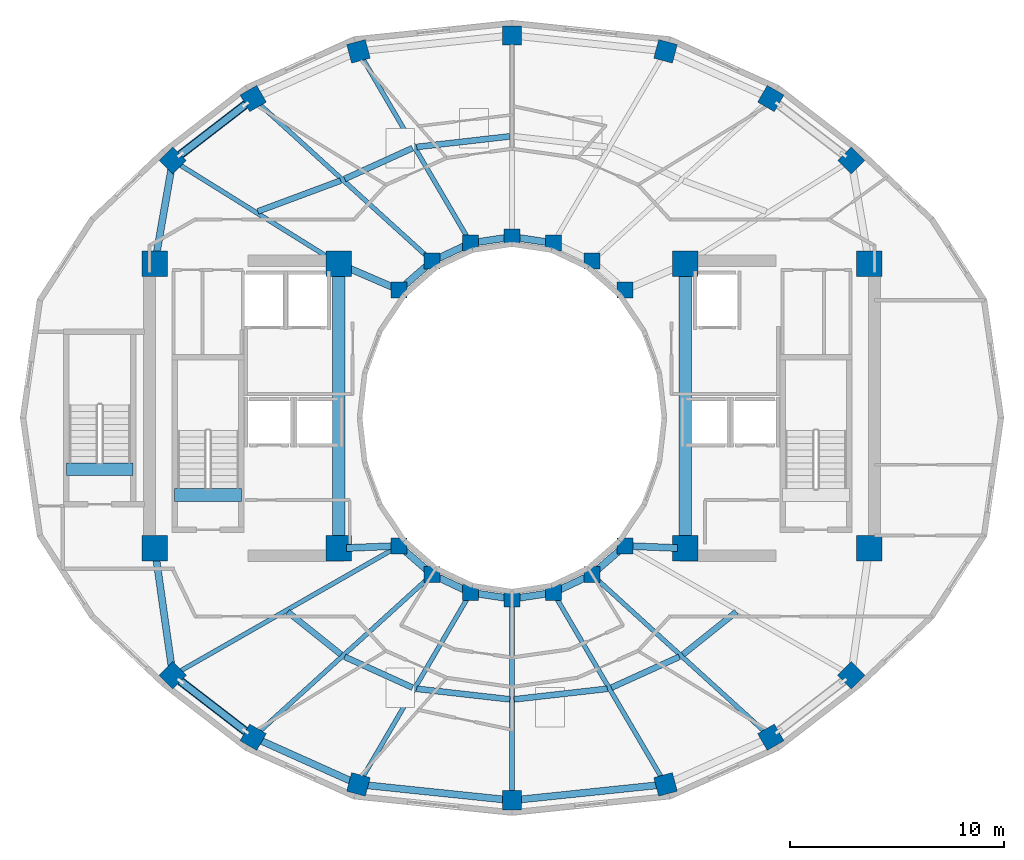
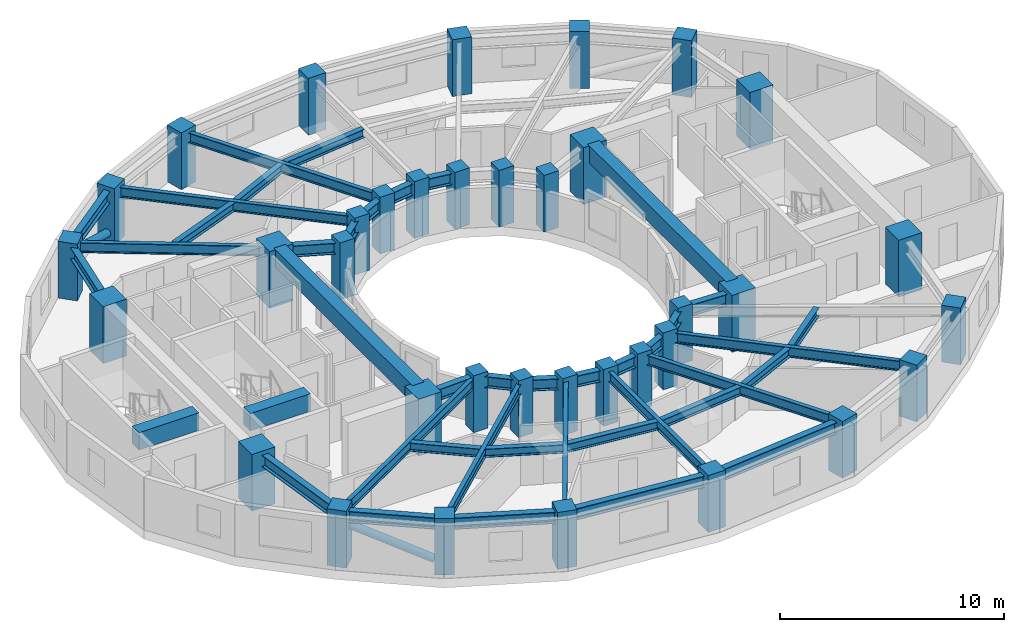
# One storey, part 1 of 9: 42 beams, 36 columns, 2 members.
"""IFC4 building model written with IfcOpenShell, lengths in metres."""

from ifc_helpers import new_model, si_unit, direction, frame, origin, origin_2d, place, context, subcontext, project, spatial, rectangle, hollow_circle, i_section, extrude, material, material_profile, profile_set, type_object, element, save


model = new_model("IFC4")

# Units and contexts
model_context = context("Model", 3, precision=1e-05, world=origin(), true_north=direction((0.0, 1.0)))
body_context = subcontext(model_context, "Body", "Model", "MODEL_VIEW")
ifc_project = project(units=[si_unit("LENGTHUNIT", "METRE"), si_unit("AREAUNIT", "SQUARE_METRE"), si_unit("VOLUMEUNIT", "CUBIC_METRE"), si_unit("PLANEANGLEUNIT", "RADIAN"), si_unit("MASSUNIT", "GRAM", prefix="KILO")], contexts=[model_context])

# Site, building, storey
site_placement = place(None, origin())
site = spatial("IfcSite", under=ifc_project, at=site_placement, CompositionType="ELEMENT")
building_placement = place(site_placement, origin())
building = spatial("IfcBuilding", under=site, at=building_placement, Name="Solvane Sanctuary Tower", CompositionType="ELEMENT")
storey_placement = place(building_placement, frame((0.0, 0.0, 180.800048828125)))
storey = spatial("IfcBuildingStorey", under=building, at=storey_placement, Name="L55", CompositionType="ELEMENT", Elevation=180.800048828125)

# Columns
ifc_material_1 = material(Name="Concrete C50/60", Category="concrete")
ifc_material_profile_1 = material_profile(ifc_material_1, rectangle(XDim=0.75, YDim=0.75, at=origin_2d()), Name="RC750X750")
ifc_profile_set_1 = profile_set([ifc_material_profile_1], Name="Concrete C50/60")
column_type_1 = type_object("IfcColumnType", Name="Column C-RING-Z3 RC750X750", PredefinedType="COLUMN", material=ifc_profile_set_1)
for number, where, z_axis, x_axis, name in (
    (1, (37.27490234375, 28.982177734375, 0.0), (0.0, 0.0, 1.0), (1.0, 0.0, 0.0), "L55 Inner Light-Well Ring Column IC01"),
    (2, (35.72998046875, 30.32666015625, 0.0), (0.0, 0.0, 1.0), (1.0, 0.0, 0.0), "L55 Inner Light-Well Ring Column IC02"),
    (3, (33.930908203125, 31.171630859375, 0.0), (0.0, 0.0, 1.0), (1.0, 0.0, 0.0), "L55 Inner Light-Well Ring Column IC03"),
    (4, (32.0, 31.4599609375, 0.0), (0.0, 0.0, 1.0), (1.0, 0.0, 0.0), "L55 Inner Light-Well Ring Column IC04"),
    (5, (30.069091796875, 31.171630859375, 0.0), (0.0, 0.0, 1.0), (1.0, 0.0, 0.0), "L55 Inner Light-Well Ring Column IC05"),
    (6, (28.27001953125, 30.32666015625, 0.0), (0.0, 0.0, 1.0), (1.0, 0.0, 0.0), "L55 Inner Light-Well Ring Column IC06"),
    (7, (26.72509765625, 28.982177734375, 0.0), (0.0, 0.0, 1.0), (1.0, 0.0, 0.0), "L55 Inner Light-Well Ring Column IC07"),
    (8, (26.72509765625, 17.017822265625, 0.0), (0.0, 0.0, 1.0), (1.0, 0.0, 0.0), "L55 Inner Light-Well Ring Column IC08"),
    (9, (28.27001953125, 15.67333984375, 0.0), (0.0, 0.0, 1.0), (1.0, 0.0, 0.0), "L55 Inner Light-Well Ring Column IC09"),
    (10, (30.069091796875, 14.828369140625, 0.0), (0.0, 0.0, 1.0), (1.0, 0.0, 0.0), "L55 Inner Light-Well Ring Column IC10"),
    (11, (32.0, 14.5400390625, 0.0), (0.0, 0.0, 1.0), (1.0, 0.0, 0.0), "L55 Inner Light-Well Ring Column IC11"),
    (12, (33.930908203125, 14.828369140625, 0.0), (0.0, 0.0, 1.0), (1.0, 0.0, 0.0), "L55 Inner Light-Well Ring Column IC12"),
    (13, (35.72998046875, 15.67333984375, 0.0), (0.0, 0.0, 1.0), (1.0, 0.0, 0.0), "L55 Inner Light-Well Ring Column IC13"),
    (14, (37.27490234375, 17.017822265625, 0.0), (0.0, 0.0, 1.0), (1.0, 0.0, 0.0), "L55 Inner Light-Well Ring Column IC14"),
):
    element("IfcColumn", number, at=place(storey_placement, frame(where, z_axis=z_axis, x_axis=x_axis)), inside=storey, type_object=column_type_1, Name=name, PredefinedType="COLUMN", context=body_context, shape_type="SweptSolid", body=[
        extrude(rectangle(XDim=0.75, YDim=0.75, at=origin_2d()), origin(), (0.0, 0.0, 1.0), 3.099853515625),
    ])
ifc_material_2 = material(Name="Concrete C70/85", Category="concrete")
ifc_material_profile_2 = material_profile(ifc_material_2, rectangle(XDim=1.199951171875, YDim=1.199951171875, at=origin_2d()), Name="RC1200X1200")
ifc_profile_set_2 = profile_set([ifc_material_profile_2], Name="Concrete C70/85")
column_type_2 = type_object("IfcColumnType", Name="Column C-TUBE-Z1 RC1200X1200", PredefinedType="COLUMN", material=ifc_profile_set_2)
for number, where, z_axis, x_axis, name in (
    (15, (15.300048828125, 16.89990234375, 0.0), (0.0, 0.0, 1.0), (1.0, 0.0, 0.0), "L55 Core Corner Column CW1"),
    (16, (23.89990234375, 16.89990234375, 0.0), (0.0, 0.0, 1.0), (1.0, 0.0, 0.0), "L55 Core Corner Column CW2"),
    (17, (23.89990234375, 30.199951171875, 0.0), (0.0, 0.0, 1.0), (1.0, 0.0, 0.0), "L55 Core Corner Column CW3"),
    (18, (15.300048828125, 30.199951171875, 0.0), (0.0, 0.0, 1.0), (1.0, 0.0, 0.0), "L55 Core Corner Column CW4"),
    (19, (40.10009765625, 16.89990234375, 0.0), (0.0, 0.0, 1.0), (1.0, 0.0, 0.0), "L55 Core Corner Column CE1"),
    (20, (48.699951171875, 16.89990234375, 0.0), (0.0, 0.0, 1.0), (1.0, 0.0, 0.0), "L55 Core Corner Column CE2"),
    (21, (48.699951171875, 30.199951171875, 0.0), (0.0, 0.0, 1.0), (1.0, 0.0, 0.0), "L55 Core Corner Column CE3"),
    (22, (40.10009765625, 30.199951171875, 0.0), (0.0, 0.0, 1.0), (1.0, 0.0, 0.0), "L55 Core Corner Column CE4"),
):
    element("IfcColumn", number, at=place(storey_placement, frame(where, z_axis=z_axis, x_axis=x_axis)), inside=storey, type_object=column_type_2, Name=name, PredefinedType="COLUMN", context=body_context, shape_type="SweptSolid", body=[
        extrude(rectangle(XDim=1.199951171875, YDim=1.199951171875, at=origin_2d()), origin(), (0.0, 0.0, 1.0), 3.099853515625),
    ])
ifc_material_3 = material(Name="Concrete C60/75", Category="concrete")
ifc_material_profile_3 = material_profile(ifc_material_3, rectangle(XDim=0.89990234375, YDim=0.89990234375, at=origin_2d()), Name="RC900X900")
ifc_profile_set_3 = profile_set([ifc_material_profile_3], Name="Concrete C60/75")
column_type_3 = type_object("IfcColumnType", Name="Column C-TUBE-Z3 RC900X900", PredefinedType="COLUMN", material=ifc_profile_set_3)
for number, where, z_axis, x_axis, name in (
    (23, (47.856689453125, 35.031005859375, 0.0), (0.0, 0.0, 1.0), (0.707106781187, 0.707106781187, 0.0), "L55 Perimeter Tube Column TC01"),
    (24, (44.09814453125, 37.927978515625, 0.0), (0.0, 0.0, 1.0), (0.5, 0.866025403784, 0.0), "L55 Perimeter Tube Column TC02"),
    (25, (39.17822265625, 40.134521484375, 0.0), (0.0, 0.0, 1.0), (0.258819045103, 0.965925826289, 0.0), "L55 Perimeter Tube Column TC03"),
    (26, (32.0, 40.8798828125, 0.0), (0.0, 0.0, 1.0), (0.0, 1.0, 0.0), "L55 Perimeter Tube Column TC04"),
    (27, (24.82177734375, 40.134521484375, 0.0), (0.0, 0.0, 1.0), (-0.258819045103, 0.965925826289, 0.0), "L55 Perimeter Tube Column TC05"),
    (28, (19.90185546875, 37.927978515625, 0.0), (0.0, 0.0, 1.0), (-0.5, 0.866025403784, 0.0), "L55 Perimeter Tube Column TC06"),
    (29, (16.143310546875, 35.031005859375, 0.0), (0.0, 0.0, 1.0), (-0.707106781187, 0.707106781187, 0.0), "L55 Perimeter Tube Column TC07"),
    (30, (16.143310546875, 10.968994140625, 0.0), (0.0, 0.0, 1.0), (-0.707106781187, -0.707106781187, 0.0), "L55 Perimeter Tube Column TC08"),
    (31, (19.90185546875, 8.072021484375, 0.0), (0.0, 0.0, 1.0), (-0.5, -0.866025403784, 0.0), "L55 Perimeter Tube Column TC09"),
    (32, (24.82177734375, 5.865478515625, 0.0), (0.0, 0.0, 1.0), (-0.258819045103, -0.965925826289, 0.0), "L55 Perimeter Tube Column TC10"),
    (33, (32.0, 5.1201171875, 0.0), (0.0, 0.0, 1.0), (0.0, -1.0, 0.0), "L55 Perimeter Tube Column TC11"),
    (34, (39.17822265625, 5.865478515625, 0.0), (0.0, 0.0, 1.0), (0.258819045103, -0.965925826289, 0.0), "L55 Perimeter Tube Column TC12"),
    (35, (44.09814453125, 8.072021484375, 0.0), (0.0, 0.0, 1.0), (0.5, -0.866025403784, 0.0), "L55 Perimeter Tube Column TC13"),
    (36, (47.856689453125, 10.968994140625, 0.0), (0.0, 0.0, 1.0), (0.707106781187, -0.707106781187, 0.0), "L55 Perimeter Tube Column TC14"),
):
    element("IfcColumn", number, at=place(storey_placement, frame(where, z_axis=z_axis, x_axis=x_axis)), inside=storey, type_object=column_type_3, Name=name, PredefinedType="COLUMN", context=body_context, shape_type="SweptSolid", body=[
        extrude(rectangle(XDim=0.89990234375, YDim=0.89990234375, at=origin_2d()), origin(), (0.0, 0.0, 1.0), 3.099853515625),
    ])

# Beams
ifc_material_profile_4 = material_profile(ifc_material_2, rectangle(XDim=0.60009765625, YDim=0.949951171875, at=origin_2d()), Name="RC600X950")
ifc_profile_set_4 = profile_set([ifc_material_profile_4], Name="Concrete C70/85")
beam_type_1 = type_object("IfcBeamType", Name="Beam B-COUPLE RC600X950", PredefinedType="LINTEL", material=ifc_profile_set_4)
for number, where, z_axis, x_axis, name in (
    (37, (23.89990234375, 17.35009765625, 2.625), (0.0, 1.0, 0.0), (-1.0, 0.0, 0.0), "L55 West Core Coupling Lintel"),
    (38, (40.10009765625, 17.35009765625, 2.625), (0.0, 1.0, 0.0), (-1.0, 0.0, 0.0), "L55 East Core Coupling Lintel"),
):
    element("IfcBeam", number, at=place(storey_placement, frame(where, z_axis=z_axis, x_axis=x_axis)), inside=storey, type_object=beam_type_1, Name=name, PredefinedType="LINTEL", context=body_context, shape_type="SweptSolid", body=[
        extrude(rectangle(XDim=0.60009765625, YDim=0.949951171875, at=origin_2d()), origin(), (0.0, 0.0, 1.0), 12.39990234375),
    ])
for number, where, z_axis, x_axis, name in (
    (39, (16.22998046875, 19.399169921875, 2.625), (1.0, 0.0, 0.0), (0.0, 1.0, 0.0), "L55 ST-1 Stair Floor Landing Trimmer"),
    (40, (11.169921875, 20.59912109375, 2.625), (1.0, 0.0, 0.0), (0.0, 1.0, 0.0), "L55 ST-3 Stair Floor Landing Trimmer"),
):
    element("IfcBeam", number, at=place(storey_placement, frame(where, z_axis=z_axis, x_axis=x_axis)), inside=storey, type_object=beam_type_1, Name=name, PredefinedType="LINTEL", context=body_context, shape_type="SweptSolid", body=[
        extrude(rectangle(XDim=0.60009765625, YDim=0.949951171875, at=origin_2d()), origin(), (0.0, 0.0, 1.0), 3.1201171875),
    ])
ifc_material_4 = material(Name="Steel ASTM A992 Grade 50", Category="steel")
ifc_material_profile_5 = material_profile(ifc_material_4, i_section(OverallWidth=0.214111328125, OverallDepth=0.549072265625, WebThickness=0.0146484375, FlangeThickness=0.023681640625, FilletRadius=0.014892578125, at=origin_2d()), Name="W21X93")
ifc_profile_set_5 = profile_set([ifc_material_profile_5], Name="Steel ASTM A992 Grade 50")
beam_type_2 = type_object("IfcBeamType", Name="Beam B-RAD-Z3 W21X93", PredefinedType="JOIST", material=ifc_profile_set_5)
beam_1_placement = place(storey_placement, frame((29.927734375, 31.413330078125, 2.603515625), z_axis=(-0.505243742555, 0.862976686017, 0.0), x_axis=(-0.862976686017, -0.505243742555, 0.0)))
element("IfcBeam", 41, at=beam_1_placement, inside=storey, type_object=beam_type_2, Name="L55 Radial Composite Floor Beam 05", PredefinedType="JOIST", context=body_context, shape_type="SweptSolid", body=[
    extrude(i_section(OverallWidth=0.214111328125, OverallDepth=0.549072265625, WebThickness=0.0146484375, FlangeThickness=0.023681640625, FilletRadius=0.014892578125, at=origin_2d()), origin(), (0.0, 0.0, 1.0), 9.826171875),
])
beam_2_placement = place(storey_placement, frame((28.062744140625, 30.514892578125, 2.603515625), z_axis=(-0.74020423772, 0.672382098558, 0.0), x_axis=(-0.672382098558, -0.74020423772, 0.0)))
element("IfcBeam", 42, at=beam_2_placement, inside=storey, type_object=beam_type_2, Name="L55 Radial Composite Floor Beam 06", PredefinedType="JOIST", context=body_context, shape_type="SweptSolid", body=[
    extrude(i_section(OverallWidth=0.214111328125, OverallDepth=0.549072265625, WebThickness=0.0146484375, FlangeThickness=0.023681640625, FilletRadius=0.014892578125, at=origin_2d()), origin(), (0.0, 0.0, 1.0), 10.7451171875),
])
beam_3_placement = place(storey_placement, frame((23.594482421875, 30.390380859375, 2.603515625), z_axis=(-0.84882685523, 0.528670946658, 0.0), x_axis=(-0.528670946658, -0.84882685523, 0.0)))
element("IfcBeam", 43, at=beam_3_placement, inside=storey, type_object=beam_type_2, Name="L55 Radial Composite Floor Beam 07", PredefinedType="JOIST", context=body_context, shape_type="SweptSolid", body=[
    extrude(i_section(OverallWidth=0.214111328125, OverallDepth=0.549072265625, WebThickness=0.0146484375, FlangeThickness=0.023681640625, FilletRadius=0.014892578125, at=origin_2d()), origin(), (0.0, 0.0, 1.0), 8.498046875),
])
beam_4_placement = place(storey_placement, frame((26.48193359375, 16.87890625, 2.603515625), z_axis=(-0.86816302692, -0.496279113694, 0.0), x_axis=(0.496279113694, -0.86816302692, 0.0)))
element("IfcBeam", 44, at=beam_4_placement, inside=storey, type_object=beam_type_2, Name="L55 Radial Composite Floor Beam 08", PredefinedType="JOIST", context=body_context, shape_type="SweptSolid", body=[
    extrude(i_section(OverallWidth=0.214111328125, OverallDepth=0.549072265625, WebThickness=0.0146484375, FlangeThickness=0.023681640625, FilletRadius=0.014892578125, at=origin_2d()), origin(), (0.0, 0.0, 1.0), 11.62841796875),
])
beam_5_placement = place(storey_placement, frame((28.062744140625, 15.485107421875, 2.603515625), z_axis=(-0.74020423772, -0.672382098558, 0.0), x_axis=(0.672382098558, -0.74020423772, 0.0)))
element("IfcBeam", 45, at=beam_5_placement, inside=storey, type_object=beam_type_2, Name="L55 Radial Composite Floor Beam 09", PredefinedType="JOIST", context=body_context, shape_type="SweptSolid", body=[
    extrude(i_section(OverallWidth=0.214111328125, OverallDepth=0.549072265625, WebThickness=0.0146484375, FlangeThickness=0.023681640625, FilletRadius=0.014892578125, at=origin_2d()), origin(), (0.0, 0.0, 1.0), 10.7451171875),
])
beam_6_placement = place(storey_placement, frame((29.927734375, 14.586669921875, 2.603515625), z_axis=(-0.505243742555, -0.862976686017, 0.0), x_axis=(0.862976686017, -0.505243742555, 0.0)))
element("IfcBeam", 46, at=beam_6_placement, inside=storey, type_object=beam_type_2, Name="L55 Radial Composite Floor Beam 10", PredefinedType="JOIST", context=body_context, shape_type="SweptSolid", body=[
    extrude(i_section(OverallWidth=0.214111328125, OverallDepth=0.549072265625, WebThickness=0.0146484375, FlangeThickness=0.023681640625, FilletRadius=0.014892578125, at=origin_2d()), origin(), (0.0, 0.0, 1.0), 9.826171875),
])
beam_7_placement = place(storey_placement, frame((32.0, 14.260009765625, 2.603515625), z_axis=(0.0, -1.0, 0.0), x_axis=(1.0, 0.0, 0.0)))
element("IfcBeam", 47, at=beam_7_placement, inside=storey, type_object=beam_type_2, Name="L55 Radial Composite Floor Beam 11", PredefinedType="JOIST", context=body_context, shape_type="SweptSolid", body=[
    extrude(i_section(OverallWidth=0.214111328125, OverallDepth=0.549072265625, WebThickness=0.0146484375, FlangeThickness=0.023681640625, FilletRadius=0.014892578125, at=origin_2d()), origin(), (0.0, 0.0, 1.0), 8.860107421875),
])
beam_8_placement = place(storey_placement, frame((34.072265625, 14.586669921875, 2.603515625), z_axis=(0.505243742555, -0.862976686017, 0.0), x_axis=(0.862976686017, 0.505243742555, 0.0)))
element("IfcBeam", 48, at=beam_8_placement, inside=storey, type_object=beam_type_2, Name="L55 Radial Composite Floor Beam 12", PredefinedType="JOIST", context=body_context, shape_type="SweptSolid", body=[
    extrude(i_section(OverallWidth=0.214111328125, OverallDepth=0.549072265625, WebThickness=0.0146484375, FlangeThickness=0.023681640625, FilletRadius=0.014892578125, at=origin_2d()), origin(), (0.0, 0.0, 1.0), 9.826171875),
])
beam_9_placement = place(storey_placement, frame((35.937255859375, 15.485107421875, 2.603515625), z_axis=(0.74020423772, -0.672382098558, 0.0), x_axis=(0.672382098558, 0.74020423772, 0.0)))
element("IfcBeam", 49, at=beam_9_placement, inside=storey, type_object=beam_type_2, Name="L55 Radial Composite Floor Beam 13", PredefinedType="JOIST", context=body_context, shape_type="SweptSolid", body=[
    extrude(i_section(OverallWidth=0.214111328125, OverallDepth=0.549072265625, WebThickness=0.0146484375, FlangeThickness=0.023681640625, FilletRadius=0.014892578125, at=origin_2d()), origin(), (0.0, 0.0, 1.0), 10.7451171875),
])
ifc_material_profile_6 = material_profile(ifc_material_4, i_section(OverallWidth=0.324951171875, OverallDepth=0.615966796875, WebThickness=0.013916015625, FlangeThickness=0.021484375, FilletRadius=0.01611328125, at=origin_2d()), Name="W24X117")
ifc_profile_set_6 = profile_set([ifc_material_profile_6], Name="Steel ASTM A992 Grade 50")
beam_type_3 = type_object("IfcBeamType", Name="Beam B-RING-IN2 W24X117", PredefinedType="BEAM", material=ifc_profile_set_6)
beam_10_placement = place(storey_placement, frame((24.230712890625, 30.0576171875, 2.570068359375), z_axis=(0.918264067649, -0.395968561966, 0.0), x_axis=(0.395968561966, 0.918264067649, 0.0)))
element("IfcBeam", 50, at=beam_10_placement, inside=storey, type_object=beam_type_3, Name="L55 Inner Light-Well Ring Beam CW3-IC07", PredefinedType="BEAM", context=body_context, shape_type="SweptSolid", body=[
    extrude(i_section(OverallWidth=0.324951171875, OverallDepth=0.615966796875, WebThickness=0.013916015625, FlangeThickness=0.021484375, FilletRadius=0.01611328125, at=origin_2d()), origin(), (0.0, 0.0, 1.0), 2.371337890625),
])
beam_11_placement = place(storey_placement, frame((26.9853515625, 29.20849609375, 2.570068359375), z_axis=(0.754311313851, 0.656516901379, 0.0), x_axis=(-0.656516901379, 0.754311313851, 0.0)))
element("IfcBeam", 51, at=beam_11_placement, inside=storey, type_object=beam_type_3, Name="L55 Inner Light-Well Ring Beam IC07-IC06", PredefinedType="BEAM", context=body_context, shape_type="SweptSolid", body=[
    extrude(i_section(OverallWidth=0.324951171875, OverallDepth=0.615966796875, WebThickness=0.013916015625, FlangeThickness=0.021484375, FilletRadius=0.01611328125, at=origin_2d()), origin(), (0.0, 0.0, 1.0), 1.358154296875),
])
beam_12_placement = place(storey_placement, frame((28.582275390625, 30.473388671875, 2.570068359375), z_axis=(0.9051808128, 0.425026700502, 0.0), x_axis=(-0.425026700502, 0.9051808128, 0.0)))
element("IfcBeam", 52, at=beam_12_placement, inside=storey, type_object=beam_type_3, Name="L55 Inner Light-Well Ring Beam IC06-IC05", PredefinedType="BEAM", context=body_context, shape_type="SweptSolid", body=[
    extrude(i_section(OverallWidth=0.324951171875, OverallDepth=0.615966796875, WebThickness=0.013916015625, FlangeThickness=0.021484375, FilletRadius=0.01611328125, at=origin_2d()), origin(), (0.0, 0.0, 1.0), 1.297607421875),
])
for number, where, z_axis, x_axis, name in (
    (53, (30.410400390625, 31.22265625, 2.570068359375), (0.989019905763, 0.147782360259, 0.0), (-0.147782360259, 0.989019905763, 0.0), "L55 Inner Light-Well Ring Beam IC05-IC04"),
    (54, (32.34130859375, 31.4091796875, 2.570068359375), (0.989019905763, -0.147782360259, 0.0), (0.147782360259, 0.989019905763, 0.0), "L55 Inner Light-Well Ring Beam IC04-IC03"),
):
    element("IfcBeam", number, at=place(storey_placement, frame(where, z_axis=z_axis, x_axis=x_axis)), inside=storey, type_object=beam_type_3, Name=name, PredefinedType="BEAM", context=body_context, shape_type="SweptSolid", body=[
        extrude(i_section(OverallWidth=0.324951171875, OverallDepth=0.615966796875, WebThickness=0.013916015625, FlangeThickness=0.021484375, FilletRadius=0.01611328125, at=origin_2d()), origin(), (0.0, 0.0, 1.0), 1.26220703125),
    ])
beam_13_placement = place(storey_placement, frame((24.259765625, 16.9150390625, 2.570068359375), z_axis=(0.999132674336, 0.041640113759, 0.0), x_axis=(-0.041640113759, 0.999132674336, 0.0)))
element("IfcBeam", 55, at=beam_13_placement, inside=storey, type_object=beam_type_3, Name="L55 Inner Light-Well Ring Beam CW2-IC08", PredefinedType="BEAM", context=body_context, shape_type="SweptSolid", body=[
    extrude(i_section(OverallWidth=0.324951171875, OverallDepth=0.615966796875, WebThickness=0.013916015625, FlangeThickness=0.021484375, FilletRadius=0.01611328125, at=origin_2d()), origin(), (0.0, 0.0, 1.0), 2.12255859375),
])
beam_14_placement = place(storey_placement, frame((26.9853515625, 16.79150390625, 2.570068359375), z_axis=(0.754311313851, -0.656516901379, 0.0), x_axis=(0.656516901379, 0.754311313851, 0.0)))
element("IfcBeam", 56, at=beam_14_placement, inside=storey, type_object=beam_type_3, Name="L55 Inner Light-Well Ring Beam IC08-IC09", PredefinedType="BEAM", context=body_context, shape_type="SweptSolid", body=[
    extrude(i_section(OverallWidth=0.324951171875, OverallDepth=0.615966796875, WebThickness=0.013916015625, FlangeThickness=0.021484375, FilletRadius=0.01611328125, at=origin_2d()), origin(), (0.0, 0.0, 1.0), 1.358154296875),
])
beam_15_placement = place(storey_placement, frame((28.582275390625, 15.526611328125, 2.570068359375), z_axis=(0.9051808128, -0.425026700502, 0.0), x_axis=(0.425026700502, 0.9051808128, 0.0)))
element("IfcBeam", 57, at=beam_15_placement, inside=storey, type_object=beam_type_3, Name="L55 Inner Light-Well Ring Beam IC09-IC10", PredefinedType="BEAM", context=body_context, shape_type="SweptSolid", body=[
    extrude(i_section(OverallWidth=0.324951171875, OverallDepth=0.615966796875, WebThickness=0.013916015625, FlangeThickness=0.021484375, FilletRadius=0.01611328125, at=origin_2d()), origin(), (0.0, 0.0, 1.0), 1.297607421875),
])
for number, where, z_axis, x_axis, name in (
    (58, (30.410400390625, 14.77734375, 2.570068359375), (0.989019905763, -0.147782360259, 0.0), (0.147782360259, 0.989019905763, 0.0), "L55 Inner Light-Well Ring Beam IC10-IC11"),
    (59, (32.34130859375, 14.5908203125, 2.570068359375), (0.989019905763, 0.147782360259, 0.0), (-0.147782360259, 0.989019905763, 0.0), "L55 Inner Light-Well Ring Beam IC11-IC12"),
):
    element("IfcBeam", number, at=place(storey_placement, frame(where, z_axis=z_axis, x_axis=x_axis)), inside=storey, type_object=beam_type_3, Name=name, PredefinedType="BEAM", context=body_context, shape_type="SweptSolid", body=[
        extrude(i_section(OverallWidth=0.324951171875, OverallDepth=0.615966796875, WebThickness=0.013916015625, FlangeThickness=0.021484375, FilletRadius=0.01611328125, at=origin_2d()), origin(), (0.0, 0.0, 1.0), 1.26220703125),
    ])
beam_16_placement = place(storey_placement, frame((34.2431640625, 14.97509765625, 2.570068359375), z_axis=(0.9051808128, 0.425026700502, 0.0), x_axis=(-0.425026700502, 0.9051808128, 0.0)))
element("IfcBeam", 60, at=beam_16_placement, inside=storey, type_object=beam_type_3, Name="L55 Inner Light-Well Ring Beam IC12-IC13", PredefinedType="BEAM", context=body_context, shape_type="SweptSolid", body=[
    extrude(i_section(OverallWidth=0.324951171875, OverallDepth=0.615966796875, WebThickness=0.013916015625, FlangeThickness=0.021484375, FilletRadius=0.01611328125, at=origin_2d()), origin(), (0.0, 0.0, 1.0), 1.297607421875),
])
beam_17_placement = place(storey_placement, frame((35.990234375, 15.89990234375, 2.570068359375), z_axis=(0.754311313851, 0.656516901379, 0.0), x_axis=(-0.656516901379, 0.754311313851, 0.0)))
element("IfcBeam", 61, at=beam_17_placement, inside=storey, type_object=beam_type_3, Name="L55 Inner Light-Well Ring Beam IC13-IC14", PredefinedType="BEAM", context=body_context, shape_type="SweptSolid", body=[
    extrude(i_section(OverallWidth=0.324951171875, OverallDepth=0.615966796875, WebThickness=0.013916015625, FlangeThickness=0.021484375, FilletRadius=0.01611328125, at=origin_2d()), origin(), (0.0, 0.0, 1.0), 1.358154296875),
])
beam_18_placement = place(storey_placement, frame((37.61962890625, 17.00341796875, 2.570068359375), z_axis=(0.999132674336, -0.041640113759, 0.0), x_axis=(0.041640113759, 0.999132674336, 0.0)))
element("IfcBeam", 62, at=beam_18_placement, inside=storey, type_object=beam_type_3, Name="L55 Inner Light-Well Ring Beam IC14-CE1", PredefinedType="BEAM", context=body_context, shape_type="SweptSolid", body=[
    extrude(i_section(OverallWidth=0.324951171875, OverallDepth=0.615966796875, WebThickness=0.013916015625, FlangeThickness=0.021484375, FilletRadius=0.01611328125, at=origin_2d()), origin(), (0.0, 0.0, 1.0), 2.12255859375),
])
ifc_material_profile_7 = material_profile(ifc_material_4, i_section(OverallWidth=0.280029296875, OverallDepth=0.462890625, WebThickness=0.0107421875, FlangeThickness=0.017333984375, FilletRadius=0.013916015625, at=origin_2d()), Name="W18X76")
ifc_profile_set_7 = profile_set([ifc_material_profile_7], Name="Steel ASTM A992 Grade 50")
beam_type_4 = type_object("IfcBeamType", Name="Beam B-SEC-JOIST W18X76", PredefinedType="JOIST", material=ifc_profile_set_7)
beam_19_placement = place(storey_placement, frame((20.1171875, 32.651123046875, 2.646484375), z_axis=(0.937265401165, 0.348616648741, 0.0), x_axis=(-0.348616648741, 0.937265401165, 0.0)))
element("IfcBeam", 63, at=beam_19_placement, inside=storey, type_object=beam_type_4, Name="L55 Secondary Circumferential Joist 07-06", PredefinedType="JOIST", context=body_context, shape_type="SweptSolid", body=[
    extrude(i_section(OverallWidth=0.280029296875, OverallDepth=0.462890625, WebThickness=0.0107421875, FlangeThickness=0.017333984375, FilletRadius=0.013916015625, at=origin_2d()), origin(), (0.0, 0.0, 1.0), 4.132568359375),
])
beam_20_placement = place(storey_placement, frame((24.178955078125, 34.16943359375, 2.646484375), z_axis=(0.910488773031, 0.413533788443, 0.0), x_axis=(-0.413533788443, 0.910488773031, 0.0)))
element("IfcBeam", 64, at=beam_20_placement, inside=storey, type_object=beam_type_4, Name="L55 Secondary Circumferential Joist 06-05", PredefinedType="JOIST", context=body_context, shape_type="SweptSolid", body=[
    extrude(i_section(OverallWidth=0.280029296875, OverallDepth=0.462890625, WebThickness=0.0107421875, FlangeThickness=0.017333984375, FilletRadius=0.013916015625, at=origin_2d()), origin(), (0.0, 0.0, 1.0), 3.485595703125),
])
beam_21_placement = place(storey_placement, frame((27.546875, 35.66455078125, 2.646484375), z_axis=(0.993621305354, 0.112768353477, 0.0), x_axis=(-0.112768353477, 0.993621305354, 0.0)))
element("IfcBeam", 65, at=beam_21_placement, inside=storey, type_object=beam_type_4, Name="L55 Secondary Circumferential Joist 05-04", PredefinedType="JOIST", context=body_context, shape_type="SweptSolid", body=[
    extrude(i_section(OverallWidth=0.280029296875, OverallDepth=0.462890625, WebThickness=0.0107421875, FlangeThickness=0.017333984375, FilletRadius=0.013916015625, at=origin_2d()), origin(), (0.0, 0.0, 1.0), 4.379638671875),
])
beam_22_placement = place(storey_placement, frame((21.513916015625, 13.9296875, 2.646484375), z_axis=(0.780950896308, -0.62459242515, 0.0), x_axis=(0.62459242515, 0.780950896308, 0.0)))
element("IfcBeam", 66, at=beam_22_placement, inside=storey, type_object=beam_type_4, Name="L55 Secondary Circumferential Joist 08-09", PredefinedType="JOIST", context=body_context, shape_type="SweptSolid", body=[
    extrude(i_section(OverallWidth=0.280029296875, OverallDepth=0.462890625, WebThickness=0.0107421875, FlangeThickness=0.017333984375, FilletRadius=0.013916015625, at=origin_2d()), origin(), (0.0, 0.0, 1.0), 3.191650390625),
])
beam_23_placement = place(storey_placement, frame((24.178955078125, 11.83056640625, 2.646484375), z_axis=(0.910462399508, -0.413591850842, 0.0), x_axis=(0.413591850842, 0.910462399508, 0.0)))
element("IfcBeam", 67, at=beam_23_placement, inside=storey, type_object=beam_type_4, Name="L55 Secondary Circumferential Joist 09-10", PredefinedType="JOIST", context=body_context, shape_type="SweptSolid", body=[
    extrude(i_section(OverallWidth=0.280029296875, OverallDepth=0.462890625, WebThickness=0.0107421875, FlangeThickness=0.017333984375, FilletRadius=0.013916015625, at=origin_2d()), origin(), (0.0, 0.0, 1.0), 3.485595703125),
])
for number, where, z_axis, x_axis, name in (
    (68, (27.546875, 10.335205078125, 2.646484375), (0.993627549834, -0.112713318696, 0.0), (0.112713318696, 0.993627549834, 0.0), "L55 Secondary Circumferential Joist 10-11"),
    (69, (32.101318359375, 9.841552734375, 2.646484375), (0.993627549834, 0.112713318696, 0.0), (-0.112713318696, 0.993627549834, 0.0), "L55 Secondary Circumferential Joist 11-12"),
):
    element("IfcBeam", number, at=place(storey_placement, frame(where, z_axis=z_axis, x_axis=x_axis)), inside=storey, type_object=beam_type_4, Name=name, PredefinedType="JOIST", context=body_context, shape_type="SweptSolid", body=[
        extrude(i_section(OverallWidth=0.280029296875, OverallDepth=0.462890625, WebThickness=0.0107421875, FlangeThickness=0.017333984375, FilletRadius=0.013916015625, at=origin_2d()), origin(), (0.0, 0.0, 1.0), 4.379638671875),
    ])
beam_24_placement = place(storey_placement, frame((36.6474609375, 10.388916015625, 2.646484375), z_axis=(0.910474379443, 0.413565477739, 0.0), x_axis=(-0.413565477739, 0.910474379443, 0.0)))
element("IfcBeam", 70, at=beam_24_placement, inside=storey, type_object=beam_type_4, Name="L55 Secondary Circumferential Joist 12-13", PredefinedType="JOIST", context=body_context, shape_type="SweptSolid", body=[
    extrude(i_section(OverallWidth=0.280029296875, OverallDepth=0.462890625, WebThickness=0.0107421875, FlangeThickness=0.017333984375, FilletRadius=0.013916015625, at=origin_2d()), origin(), (0.0, 0.0, 1.0), 3.48583984375),
])
beam_25_placement = place(storey_placement, frame((39.993896484375, 11.936279296875, 2.646484375), z_axis=(0.78092105122, 0.624629739735, 0.0), x_axis=(-0.624629739735, 0.78092105122, 0.0)))
element("IfcBeam", 71, at=beam_25_placement, inside=storey, type_object=beam_type_4, Name="L55 Secondary Circumferential Joist 13-14", PredefinedType="JOIST", context=body_context, shape_type="SweptSolid", body=[
    extrude(i_section(OverallWidth=0.280029296875, OverallDepth=0.462890625, WebThickness=0.0107421875, FlangeThickness=0.017333984375, FilletRadius=0.013916015625, at=origin_2d()), origin(), (0.0, 0.0, 1.0), 3.19140625),
])
ifc_material_profile_8 = material_profile(ifc_material_4, i_section(OverallWidth=0.327880859375, OverallDepth=0.6279296875, WebThickness=0.0166015625, FlangeThickness=0.027587890625, FilletRadius=0.01611328125, at=origin_2d()), Name="W24X146")
ifc_profile_set_8 = profile_set([ifc_material_profile_8], Name="Steel ASTM A992 Grade 50")
beam_type_5 = type_object("IfcBeamType", Name="Beam B-SPAND-Z3 W24X146", PredefinedType="SPANDREL", material=ifc_profile_set_8)
beam_26_placement = place(storey_placement, frame((15.34814453125, 30.475830078125, 2.56396484375), z_axis=(0.171967263087, 0.985102664917, 0.0), x_axis=(-0.985102664917, 0.171967263087, 0.0)))
element("IfcBeam", 72, at=beam_26_placement, inside=storey, type_object=beam_type_5, Name="L55 Perimeter Spandrel Beam CW4-TC07", PredefinedType="SPANDREL", context=body_context, shape_type="SweptSolid", body=[
    extrude(i_section(OverallWidth=0.327880859375, OverallDepth=0.6279296875, WebThickness=0.0166015625, FlangeThickness=0.027587890625, FilletRadius=0.01611328125, at=origin_2d()), origin(), (0.0, 0.0, 1.0), 4.34423828125),
])
beam_27_placement = place(storey_placement, frame((16.365234375, 35.201904296875, 2.56396484375), z_axis=(0.792020773873, 0.610494139001, 0.0), x_axis=(-0.610494139001, 0.792020773873, 0.0)))
element("IfcBeam", 73, at=beam_27_placement, inside=storey, type_object=beam_type_5, Name="L55 Perimeter Spandrel Beam TC07-TC06", PredefinedType="SPANDREL", context=body_context, shape_type="SweptSolid", body=[
    extrude(i_section(OverallWidth=0.327880859375, OverallDepth=0.6279296875, WebThickness=0.0166015625, FlangeThickness=0.027587890625, FilletRadius=0.01611328125, at=origin_2d()), origin(), (0.0, 0.0, 1.0), 4.185302734375),
])
beam_28_placement = place(storey_placement, frame((15.33935546875, 16.622802734375, 2.56396484375), z_axis=(0.140798255486, -0.990038307972, 0.0), x_axis=(0.990038307972, 0.140798255486, 0.0)))
element("IfcBeam", 74, at=beam_28_placement, inside=storey, type_object=beam_type_5, Name="L55 Perimeter Spandrel Beam CW1-TC08", PredefinedType="SPANDREL", context=body_context, shape_type="SweptSolid", body=[
    extrude(i_section(OverallWidth=0.327880859375, OverallDepth=0.6279296875, WebThickness=0.0166015625, FlangeThickness=0.027587890625, FilletRadius=0.01611328125, at=origin_2d()), origin(), (0.0, 0.0, 1.0), 5.430908203125),
])
beam_29_placement = place(storey_placement, frame((16.365234375, 10.798095703125, 2.56396484375), z_axis=(0.792020773873, -0.610494139001, 0.0), x_axis=(0.610494139001, 0.792020773873, 0.0)))
element("IfcBeam", 75, at=beam_29_placement, inside=storey, type_object=beam_type_5, Name="L55 Perimeter Spandrel Beam TC08-TC09", PredefinedType="SPANDREL", context=body_context, shape_type="SweptSolid", body=[
    extrude(i_section(OverallWidth=0.327880859375, OverallDepth=0.6279296875, WebThickness=0.0166015625, FlangeThickness=0.027587890625, FilletRadius=0.01611328125, at=origin_2d()), origin(), (0.0, 0.0, 1.0), 4.185302734375),
])
beam_30_placement = place(storey_placement, frame((20.157470703125, 7.95751953125, 2.56396484375), z_axis=(0.912414349424, -0.409267705744, 0.0), x_axis=(0.409267705744, 0.912414349424, 0.0)))
element("IfcBeam", 76, at=beam_30_placement, inside=storey, type_object=beam_type_5, Name="L55 Perimeter Spandrel Beam TC09-TC10", PredefinedType="SPANDREL", context=body_context, shape_type="SweptSolid", body=[
    extrude(i_section(OverallWidth=0.327880859375, OverallDepth=0.6279296875, WebThickness=0.0166015625, FlangeThickness=0.027587890625, FilletRadius=0.01611328125, at=origin_2d()), origin(), (0.0, 0.0, 1.0), 4.831787109375),
])
for number, where, z_axis, x_axis, name in (
    (77, (25.10009765625, 5.83642578125, 2.56396484375), (0.994652761118, -0.103275770632, 0.0), (0.103275770632, 0.994652761118, 0.0), "L55 Perimeter Spandrel Beam TC10-TC11"),
    (78, (32.278564453125, 5.14892578125, 2.56396484375), (0.994652761118, 0.103275770632, 0.0), (-0.103275770632, 0.994652761118, 0.0), "L55 Perimeter Spandrel Beam TC11-TC12"),
):
    element("IfcBeam", number, at=place(storey_placement, frame(where, z_axis=z_axis, x_axis=x_axis)), inside=storey, type_object=beam_type_5, Name=name, PredefinedType="SPANDREL", context=body_context, shape_type="SweptSolid", body=[
        extrude(i_section(OverallWidth=0.327880859375, OverallDepth=0.6279296875, WebThickness=0.0166015625, FlangeThickness=0.027587890625, FilletRadius=0.01611328125, at=origin_2d()), origin(), (0.0, 0.0, 1.0), 6.656982421875),
    ])

# Members
ifc_material_profile_9 = material_profile(ifc_material_4, hollow_circle(Radius=0.202880859375, WallThickness=0.012451171875, at=origin_2d()), Name="CHS406X12.5")
ifc_profile_set_9 = profile_set([ifc_material_profile_9], Name="Steel ASTM A992 Grade 50")
member_type = type_object("IfcMemberType", Name="Member M-TUBE-Z3 CHS406X12.5", PredefinedType="BRACE", material=ifc_profile_set_9)
for number, where, z_axis, x_axis, name in (
    (79, (19.534912109375, 37.645263671875, 0.5625), (-0.73686018058, -0.568005062922, 0.366616042707), (0.610513708364, -0.792005689311, 0.0), "L55 Perimeter Braced-Tube Diagonal NW"),
    (80, (19.534912109375, 8.354736328125, 0.5625), (-0.73686018058, 0.568005062922, 0.366616042707), (-0.610513708364, -0.792005689311, 0.0), "L55 Perimeter Braced-Tube Diagonal SW"),
):
    element("IfcMember", number, at=place(storey_placement, frame(where, z_axis=z_axis, x_axis=x_axis)), inside=storey, type_object=member_type, Name=name, PredefinedType="BRACE", context=body_context, shape_type="SweptSolid", body=[
        extrude(hollow_circle(Radius=0.202880859375, WallThickness=0.012451171875, at=origin_2d()), origin(), (0.0, 0.0, 1.0), 4.104736328125),
    ])

save(model, "model.ifc")
